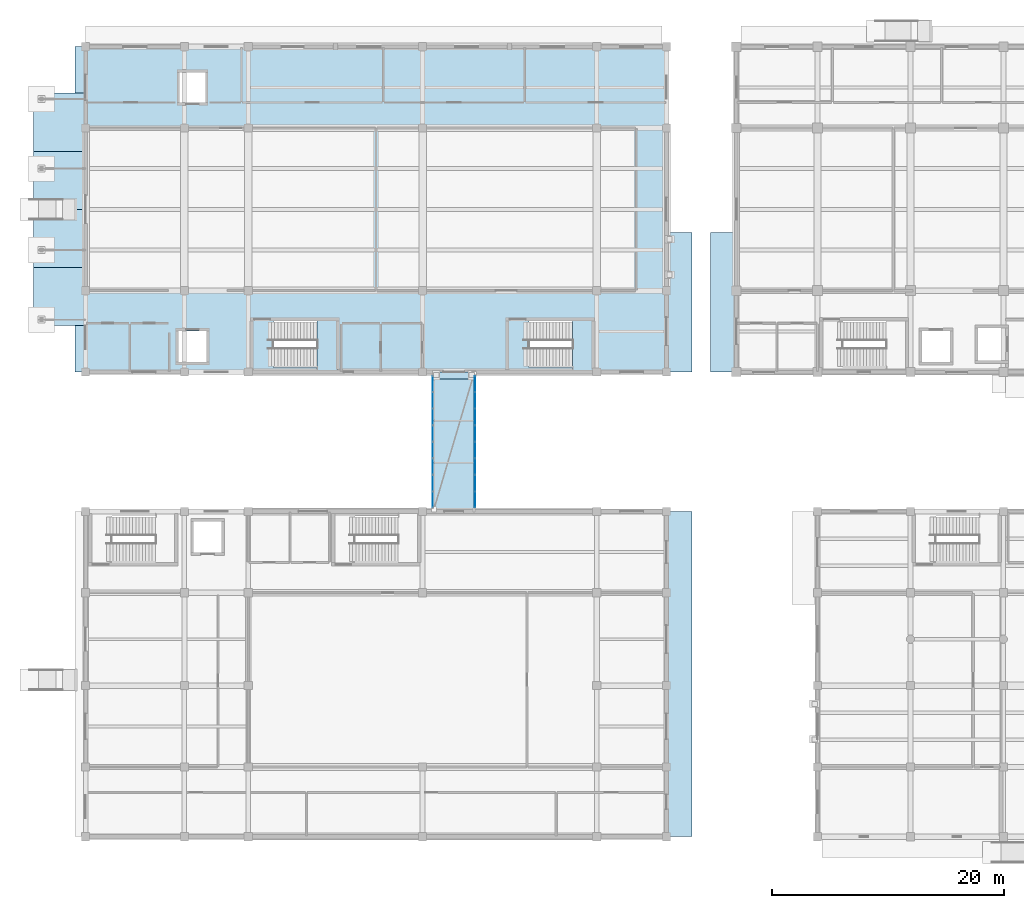
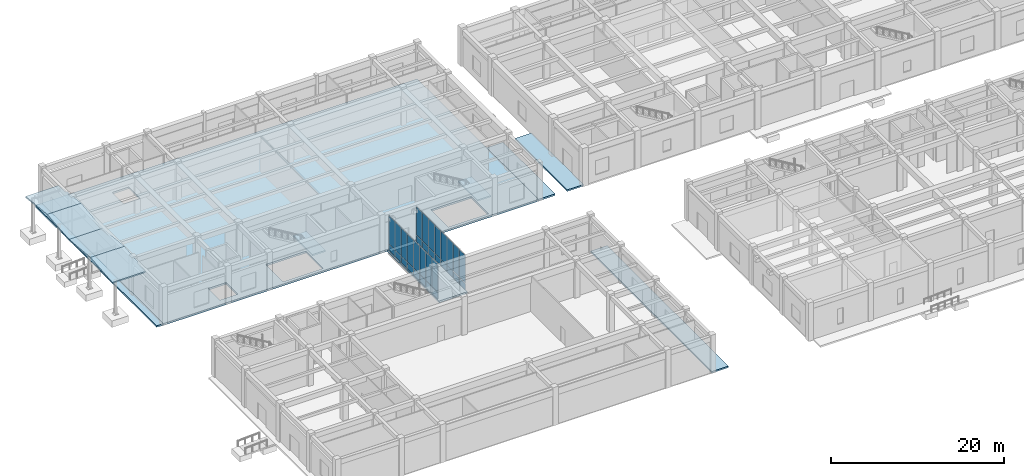
# One storey, part 12 of 40: 33 plates, 12 slabs, 4 elements without a shape of their own.
"""IFC4 building model written with IfcOpenShell, lengths in metres."""

from ifc_helpers import new_model, si_unit, direction, frame, origin, origin_2d, place, context, subcontext, project, spatial, polyline, rectangle, outline, extrude, material, layer, layer_set, type_object, element, aggregate, save


model = new_model("IFC4")

# Units and contexts
model_context = context("Model", 3, precision=1e-05, world=origin(), true_north=direction((0.0, 1.0)))
body_context = subcontext(model_context, "Body", "Model", "MODEL_VIEW")
ifc_project = project(units=[si_unit("LENGTHUNIT", "METRE"), si_unit("AREAUNIT", "SQUARE_METRE"), si_unit("VOLUMEUNIT", "CUBIC_METRE"), si_unit("PLANEANGLEUNIT", "RADIAN"), si_unit("MASSUNIT", "GRAM", prefix="KILO")], contexts=[model_context])

# Site, building, storey
site_placement = place(None, origin())
site = spatial("IfcSite", under=ifc_project, at=site_placement, CompositionType="ELEMENT")
building_placement = place(site_placement, origin())
building = spatial("IfcBuilding", under=site, at=building_placement, Name="Naurynzar Civic Courthouse", CompositionType="ELEMENT")
storey_placement = place(building_placement, origin())
storey = spatial("IfcBuildingStorey", under=building, at=storey_placement, Name="L01", CompositionType="ELEMENT", Elevation=0.0)

# Curtain wall, plates
ifc_material_1 = material(Name="Aluminium 6063-T6", Category="aluminium")
ifc_layer_1 = layer(ifc_material_1, 0.14990234375)
ifc_layer_set_1 = layer_set([ifc_layer_1], Name="CW-BRIDGE-1500")
curtain_wall_type = type_object("IfcCurtainWallType", Name="CW-BRIDGE-1500", PredefinedType="USERDEFINED", material=ifc_layer_set_1)
curtain_wall_1_placement = place(storey_placement, origin())
curtain_wall_1 = element("IfcCurtainWall", 1, at=curtain_wall_1_placement, inside=storey, type_object=curtain_wall_type, Name="BR-W1 glazed bridge screen L01.1", ObjectType="GLAZED BRIDGE SCREEN", PredefinedType="USERDEFINED")
ifc_material_2 = material(Name="Tempered Laminated Low-E Glass", Category="glass")
ifc_layer_2 = layer(ifc_material_2, 0.031982421875)
ifc_layer_set_2 = layer_set([ifc_layer_2], Name="CWP-IGU-32")
plate_type_1 = type_object("IfcPlateType", Name="CWP-IGU-32", PredefinedType="CURTAIN_PANEL", material=ifc_layer_set_2)
plate_1_placement = place(storey_placement, frame((35.8798828125, 42.972412109375, 0.06005859375), z_axis=(0.0, 0.0, 1.0), x_axis=(0.0, -1.0, 0.0)))
plate_1 = element("IfcPlate", 2, at=plate_1_placement, type_object=plate_type_1, Name="CW-03 panel 1.1", PredefinedType="CURTAIN_PANEL", context=body_context, shape_type="SweptSolid", body=[
    extrude(rectangle(XDim=1.3349609375, YDim=0.031982421875, at=origin_2d()), origin(), (0.0, 0.0, 1.0), 0.909912109375),
])
plate_2_placement = place(storey_placement, frame((35.8798828125, 42.972412109375, 1.0302734375), z_axis=(0.0, 0.0, 1.0), x_axis=(0.0, -1.0, 0.0)))
plate_2 = element("IfcPlate", 3, at=plate_2_placement, type_object=plate_type_1, Name="CW-03 panel 1.2", PredefinedType="CURTAIN_PANEL", context=body_context, shape_type="SweptSolid", body=[
    extrude(rectangle(XDim=1.3349609375, YDim=0.031982421875, at=origin_2d()), origin(), (0.0, 0.0, 1.0), 3.929931640625),
])
plate_3_placement = place(storey_placement, frame((35.8798828125, 41.5625, 0.06005859375), z_axis=(0.0, 0.0, 1.0), x_axis=(0.0, -1.0, 0.0)))
plate_3 = element("IfcPlate", 4, at=plate_3_placement, type_object=plate_type_1, Name="CW-03 panel 2.1", PredefinedType="CURTAIN_PANEL", context=body_context, shape_type="SweptSolid", body=[
    extrude(rectangle(XDim=1.364990234375, YDim=0.031982421875, at=origin_2d()), origin(), (0.0, 0.0, 1.0), 0.909912109375),
])
plate_4_placement = place(storey_placement, frame((35.8798828125, 41.5625, 1.0302734375), z_axis=(0.0, 0.0, 1.0), x_axis=(0.0, -1.0, 0.0)))
plate_4 = element("IfcPlate", 5, at=plate_4_placement, type_object=plate_type_1, Name="CW-03 panel 2.2", PredefinedType="CURTAIN_PANEL", context=body_context, shape_type="SweptSolid", body=[
    extrude(rectangle(XDim=1.364990234375, YDim=0.031982421875, at=origin_2d()), origin(), (0.0, 0.0, 1.0), 3.929931640625),
])
plate_5_placement = place(storey_placement, frame((35.8798828125, 40.137451171875, 0.06005859375), z_axis=(0.0, 0.0, 1.0), x_axis=(0.0, -1.0, 0.0)))
plate_5 = element("IfcPlate", 6, at=plate_5_placement, type_object=plate_type_1, Name="CW-03 panel 3.1", PredefinedType="CURTAIN_PANEL", context=body_context, shape_type="SweptSolid", body=[
    extrude(rectangle(XDim=1.364990234375, YDim=0.031982421875, at=origin_2d()), origin(), (0.0, 0.0, 1.0), 0.909912109375),
])
plate_6_placement = place(storey_placement, frame((35.8798828125, 40.137451171875, 1.0302734375), z_axis=(0.0, 0.0, 1.0), x_axis=(0.0, -1.0, 0.0)))
plate_6 = element("IfcPlate", 7, at=plate_6_placement, type_object=plate_type_1, Name="CW-03 panel 3.2", PredefinedType="CURTAIN_PANEL", context=body_context, shape_type="SweptSolid", body=[
    extrude(rectangle(XDim=1.364990234375, YDim=0.031982421875, at=origin_2d()), origin(), (0.0, 0.0, 1.0), 3.929931640625),
])
plate_7_placement = place(storey_placement, frame((35.8798828125, 38.71240234375, 0.06005859375), z_axis=(0.0, 0.0, 1.0), x_axis=(0.0, -1.0, 0.0)))
plate_7 = element("IfcPlate", 8, at=plate_7_placement, type_object=plate_type_1, Name="CW-03 panel 4.1", PredefinedType="CURTAIN_PANEL", context=body_context, shape_type="SweptSolid", body=[
    extrude(rectangle(XDim=1.364990234375, YDim=0.031982421875, at=origin_2d()), origin(), (0.0, 0.0, 1.0), 0.909912109375),
])
plate_8_placement = place(storey_placement, frame((35.8798828125, 38.71240234375, 1.0302734375), z_axis=(0.0, 0.0, 1.0), x_axis=(0.0, -1.0, 0.0)))
plate_8 = element("IfcPlate", 9, at=plate_8_placement, type_object=plate_type_1, Name="CW-03 panel 4.2", PredefinedType="CURTAIN_PANEL", context=body_context, shape_type="SweptSolid", body=[
    extrude(rectangle(XDim=1.364990234375, YDim=0.031982421875, at=origin_2d()), origin(), (0.0, 0.0, 1.0), 3.929931640625),
])
plate_9_placement = place(storey_placement, frame((35.8798828125, 37.28759765625, 0.06005859375), z_axis=(0.0, 0.0, 1.0), x_axis=(0.0, -1.0, 0.0)))
plate_9 = element("IfcPlate", 10, at=plate_9_placement, type_object=plate_type_1, Name="CW-03 panel 5.1", PredefinedType="CURTAIN_PANEL", context=body_context, shape_type="SweptSolid", body=[
    extrude(rectangle(XDim=1.364990234375, YDim=0.031982421875, at=origin_2d()), origin(), (0.0, 0.0, 1.0), 0.909912109375),
])
plate_10_placement = place(storey_placement, frame((35.8798828125, 37.28759765625, 1.0302734375), z_axis=(0.0, 0.0, 1.0), x_axis=(0.0, -1.0, 0.0)))
plate_10 = element("IfcPlate", 11, at=plate_10_placement, type_object=plate_type_1, Name="CW-03 panel 5.2", PredefinedType="CURTAIN_PANEL", context=body_context, shape_type="SweptSolid", body=[
    extrude(rectangle(XDim=1.364990234375, YDim=0.031982421875, at=origin_2d()), origin(), (0.0, 0.0, 1.0), 3.929931640625),
])
plate_11_placement = place(storey_placement, frame((35.8798828125, 35.862548828125, 0.06005859375), z_axis=(0.0, 0.0, 1.0), x_axis=(0.0, -1.0, 0.0)))
plate_11 = element("IfcPlate", 12, at=plate_11_placement, type_object=plate_type_1, Name="CW-03 panel 6.1", PredefinedType="CURTAIN_PANEL", context=body_context, shape_type="SweptSolid", body=[
    extrude(rectangle(XDim=1.364990234375, YDim=0.031982421875, at=origin_2d()), origin(), (0.0, 0.0, 1.0), 0.909912109375),
])
plate_12_placement = place(storey_placement, frame((35.8798828125, 35.862548828125, 1.0302734375), z_axis=(0.0, 0.0, 1.0), x_axis=(0.0, -1.0, 0.0)))
plate_12 = element("IfcPlate", 13, at=plate_12_placement, type_object=plate_type_1, Name="CW-03 panel 6.2", PredefinedType="CURTAIN_PANEL", context=body_context, shape_type="SweptSolid", body=[
    extrude(rectangle(XDim=1.364990234375, YDim=0.031982421875, at=origin_2d()), origin(), (0.0, 0.0, 1.0), 3.929931640625),
])
plate_13_placement = place(storey_placement, frame((35.8798828125, 34.4375, 0.06005859375), z_axis=(0.0, 0.0, 1.0), x_axis=(0.0, -1.0, 0.0)))
plate_13 = element("IfcPlate", 14, at=plate_13_placement, type_object=plate_type_1, Name="CW-03 panel 7.1", PredefinedType="CURTAIN_PANEL", context=body_context, shape_type="SweptSolid", body=[
    extrude(rectangle(XDim=1.364990234375, YDim=0.031982421875, at=origin_2d()), origin(), (0.0, 0.0, 1.0), 0.909912109375),
])
plate_14_placement = place(storey_placement, frame((35.8798828125, 34.4375, 1.0302734375), z_axis=(0.0, 0.0, 1.0), x_axis=(0.0, -1.0, 0.0)))
plate_14 = element("IfcPlate", 15, at=plate_14_placement, type_object=plate_type_1, Name="CW-03 panel 7.2", PredefinedType="CURTAIN_PANEL", context=body_context, shape_type="SweptSolid", body=[
    extrude(rectangle(XDim=1.364990234375, YDim=0.031982421875, at=origin_2d()), origin(), (0.0, 0.0, 1.0), 3.929931640625),
])
plate_15_placement = place(storey_placement, frame((35.8798828125, 33.027587890625, 0.06005859375), z_axis=(0.0, 0.0, 1.0), x_axis=(0.0, -1.0, 0.0)))
plate_15 = element("IfcPlate", 16, at=plate_15_placement, type_object=plate_type_1, Name="CW-03 panel 8.1", PredefinedType="CURTAIN_PANEL", context=body_context, shape_type="SweptSolid", body=[
    extrude(rectangle(XDim=1.3349609375, YDim=0.031982421875, at=origin_2d()), origin(), (0.0, 0.0, 1.0), 0.909912109375),
])
plate_16_placement = place(storey_placement, frame((35.8798828125, 33.027587890625, 1.0302734375), z_axis=(0.0, 0.0, 1.0), x_axis=(0.0, -1.0, 0.0)))
plate_16 = element("IfcPlate", 17, at=plate_16_placement, type_object=plate_type_1, Name="CW-03 panel 8.2", PredefinedType="CURTAIN_PANEL", context=body_context, shape_type="SweptSolid", body=[
    extrude(rectangle(XDim=1.3349609375, YDim=0.031982421875, at=origin_2d()), origin(), (0.0, 0.0, 1.0), 3.929931640625),
])
aggregate(curtain_wall_1, [plate_1, plate_2, plate_3, plate_4, plate_5, plate_6, plate_7, plate_8, plate_9, plate_10, plate_11, plate_12, plate_13, plate_14, plate_15, plate_16])

curtain_wall_2_placement = place(storey_placement, origin())
curtain_wall_2 = element("IfcCurtainWall", 18, at=curtain_wall_2_placement, inside=storey, type_object=curtain_wall_type, Name="BR-W1 glazed bridge screen L01.2", ObjectType="GLAZED BRIDGE SCREEN", PredefinedType="USERDEFINED")
plate_17_placement = place(storey_placement, frame((39.52001953125, 33.027587890625, 0.06005859375), z_axis=(0.0, 0.0, 1.0), x_axis=(0.0, 1.0, 0.0)))
plate_17 = element("IfcPlate", 19, at=plate_17_placement, type_object=plate_type_1, Name="CW-03 panel 1.1", PredefinedType="CURTAIN_PANEL", context=body_context, shape_type="SweptSolid", body=[
    extrude(rectangle(XDim=1.3349609375, YDim=0.031982421875, at=origin_2d()), origin(), (0.0, 0.0, 1.0), 0.909912109375),
])
plate_18_placement = place(storey_placement, frame((39.52001953125, 33.027587890625, 1.0302734375), z_axis=(0.0, 0.0, 1.0), x_axis=(0.0, 1.0, 0.0)))
plate_18 = element("IfcPlate", 20, at=plate_18_placement, type_object=plate_type_1, Name="CW-03 panel 1.2", PredefinedType="CURTAIN_PANEL", context=body_context, shape_type="SweptSolid", body=[
    extrude(rectangle(XDim=1.3349609375, YDim=0.031982421875, at=origin_2d()), origin(), (0.0, 0.0, 1.0), 3.929931640625),
])
plate_19_placement = place(storey_placement, frame((39.52001953125, 34.4375, 0.06005859375), z_axis=(0.0, 0.0, 1.0), x_axis=(0.0, 1.0, 0.0)))
plate_19 = element("IfcPlate", 21, at=plate_19_placement, type_object=plate_type_1, Name="CW-03 panel 2.1", PredefinedType="CURTAIN_PANEL", context=body_context, shape_type="SweptSolid", body=[
    extrude(rectangle(XDim=1.364990234375, YDim=0.031982421875, at=origin_2d()), origin(), (0.0, 0.0, 1.0), 0.909912109375),
])
plate_20_placement = place(storey_placement, frame((39.52001953125, 34.4375, 1.0302734375), z_axis=(0.0, 0.0, 1.0), x_axis=(0.0, 1.0, 0.0)))
plate_20 = element("IfcPlate", 22, at=plate_20_placement, type_object=plate_type_1, Name="CW-03 panel 2.2", PredefinedType="CURTAIN_PANEL", context=body_context, shape_type="SweptSolid", body=[
    extrude(rectangle(XDim=1.364990234375, YDim=0.031982421875, at=origin_2d()), origin(), (0.0, 0.0, 1.0), 3.929931640625),
])
plate_21_placement = place(storey_placement, frame((39.52001953125, 35.862548828125, 0.06005859375), z_axis=(0.0, 0.0, 1.0), x_axis=(0.0, 1.0, 0.0)))
plate_21 = element("IfcPlate", 23, at=plate_21_placement, type_object=plate_type_1, Name="CW-03 panel 3.1", PredefinedType="CURTAIN_PANEL", context=body_context, shape_type="SweptSolid", body=[
    extrude(rectangle(XDim=1.364990234375, YDim=0.031982421875, at=origin_2d()), origin(), (0.0, 0.0, 1.0), 0.909912109375),
])
plate_22_placement = place(storey_placement, frame((39.52001953125, 35.862548828125, 1.0302734375), z_axis=(0.0, 0.0, 1.0), x_axis=(0.0, 1.0, 0.0)))
plate_22 = element("IfcPlate", 24, at=plate_22_placement, type_object=plate_type_1, Name="CW-03 panel 3.2", PredefinedType="CURTAIN_PANEL", context=body_context, shape_type="SweptSolid", body=[
    extrude(rectangle(XDim=1.364990234375, YDim=0.031982421875, at=origin_2d()), origin(), (0.0, 0.0, 1.0), 3.929931640625),
])
plate_23_placement = place(storey_placement, frame((39.52001953125, 37.28759765625, 0.06005859375), z_axis=(0.0, 0.0, 1.0), x_axis=(0.0, 1.0, 0.0)))
plate_23 = element("IfcPlate", 25, at=plate_23_placement, type_object=plate_type_1, Name="CW-03 panel 4.1", PredefinedType="CURTAIN_PANEL", context=body_context, shape_type="SweptSolid", body=[
    extrude(rectangle(XDim=1.364990234375, YDim=0.031982421875, at=origin_2d()), origin(), (0.0, 0.0, 1.0), 0.909912109375),
])
plate_24_placement = place(storey_placement, frame((39.52001953125, 37.28759765625, 1.0302734375), z_axis=(0.0, 0.0, 1.0), x_axis=(0.0, 1.0, 0.0)))
plate_24 = element("IfcPlate", 26, at=plate_24_placement, type_object=plate_type_1, Name="CW-03 panel 4.2", PredefinedType="CURTAIN_PANEL", context=body_context, shape_type="SweptSolid", body=[
    extrude(rectangle(XDim=1.364990234375, YDim=0.031982421875, at=origin_2d()), origin(), (0.0, 0.0, 1.0), 3.929931640625),
])
plate_25_placement = place(storey_placement, frame((39.52001953125, 38.71240234375, 0.06005859375), z_axis=(0.0, 0.0, 1.0), x_axis=(0.0, 1.0, 0.0)))
plate_25 = element("IfcPlate", 27, at=plate_25_placement, type_object=plate_type_1, Name="CW-03 panel 5.1", PredefinedType="CURTAIN_PANEL", context=body_context, shape_type="SweptSolid", body=[
    extrude(rectangle(XDim=1.364990234375, YDim=0.031982421875, at=origin_2d()), origin(), (0.0, 0.0, 1.0), 0.909912109375),
])
plate_26_placement = place(storey_placement, frame((39.52001953125, 38.71240234375, 1.0302734375), z_axis=(0.0, 0.0, 1.0), x_axis=(0.0, 1.0, 0.0)))
plate_26 = element("IfcPlate", 28, at=plate_26_placement, type_object=plate_type_1, Name="CW-03 panel 5.2", PredefinedType="CURTAIN_PANEL", context=body_context, shape_type="SweptSolid", body=[
    extrude(rectangle(XDim=1.364990234375, YDim=0.031982421875, at=origin_2d()), origin(), (0.0, 0.0, 1.0), 3.929931640625),
])
plate_27_placement = place(storey_placement, frame((39.52001953125, 40.137451171875, 0.06005859375), z_axis=(0.0, 0.0, 1.0), x_axis=(0.0, 1.0, 0.0)))
plate_27 = element("IfcPlate", 29, at=plate_27_placement, type_object=plate_type_1, Name="CW-03 panel 6.1", PredefinedType="CURTAIN_PANEL", context=body_context, shape_type="SweptSolid", body=[
    extrude(rectangle(XDim=1.364990234375, YDim=0.031982421875, at=origin_2d()), origin(), (0.0, 0.0, 1.0), 0.909912109375),
])
plate_28_placement = place(storey_placement, frame((39.52001953125, 40.137451171875, 1.0302734375), z_axis=(0.0, 0.0, 1.0), x_axis=(0.0, 1.0, 0.0)))
plate_28 = element("IfcPlate", 30, at=plate_28_placement, type_object=plate_type_1, Name="CW-03 panel 6.2", PredefinedType="CURTAIN_PANEL", context=body_context, shape_type="SweptSolid", body=[
    extrude(rectangle(XDim=1.364990234375, YDim=0.031982421875, at=origin_2d()), origin(), (0.0, 0.0, 1.0), 3.929931640625),
])
plate_29_placement = place(storey_placement, frame((39.52001953125, 41.5625, 0.06005859375), z_axis=(0.0, 0.0, 1.0), x_axis=(0.0, 1.0, 0.0)))
plate_29 = element("IfcPlate", 31, at=plate_29_placement, type_object=plate_type_1, Name="CW-03 panel 7.1", PredefinedType="CURTAIN_PANEL", context=body_context, shape_type="SweptSolid", body=[
    extrude(rectangle(XDim=1.364990234375, YDim=0.031982421875, at=origin_2d()), origin(), (0.0, 0.0, 1.0), 0.909912109375),
])
plate_30_placement = place(storey_placement, frame((39.52001953125, 41.5625, 1.0302734375), z_axis=(0.0, 0.0, 1.0), x_axis=(0.0, 1.0, 0.0)))
plate_30 = element("IfcPlate", 32, at=plate_30_placement, type_object=plate_type_1, Name="CW-03 panel 7.2", PredefinedType="CURTAIN_PANEL", context=body_context, shape_type="SweptSolid", body=[
    extrude(rectangle(XDim=1.364990234375, YDim=0.031982421875, at=origin_2d()), origin(), (0.0, 0.0, 1.0), 3.929931640625),
])
plate_31_placement = place(storey_placement, frame((39.52001953125, 42.972412109375, 0.06005859375), z_axis=(0.0, 0.0, 1.0), x_axis=(0.0, 1.0, 0.0)))
plate_31 = element("IfcPlate", 33, at=plate_31_placement, type_object=plate_type_1, Name="CW-03 panel 8.1", PredefinedType="CURTAIN_PANEL", context=body_context, shape_type="SweptSolid", body=[
    extrude(rectangle(XDim=1.3349609375, YDim=0.031982421875, at=origin_2d()), origin(), (0.0, 0.0, 1.0), 0.909912109375),
])
plate_32_placement = place(storey_placement, frame((39.52001953125, 42.972412109375, 1.0302734375), z_axis=(0.0, 0.0, 1.0), x_axis=(0.0, 1.0, 0.0)))
plate_32 = element("IfcPlate", 34, at=plate_32_placement, type_object=plate_type_1, Name="CW-03 panel 8.2", PredefinedType="CURTAIN_PANEL", context=body_context, shape_type="SweptSolid", body=[
    extrude(rectangle(XDim=1.3349609375, YDim=0.031982421875, at=origin_2d()), origin(), (0.0, 0.0, 1.0), 3.929931640625),
])
aggregate(curtain_wall_2, [plate_17, plate_18, plate_19, plate_20, plate_21, plate_22, plate_23, plate_24, plate_25, plate_26, plate_27, plate_28, plate_29, plate_30, plate_31, plate_32])

# Plate
ifc_material_3 = material(Name="Brushed Stainless Steel 304", Category="steel")
ifc_layer_3 = layer(ifc_material_3, 0.011962890625)
ifc_layer_set_3 = layer_set([ifc_layer_3], Name="PLT-SEISMIC-COVER-12")
plate_type_2 = type_object("IfcPlateType", Name="PLT-SEISMIC-COVER-12", PredefinedType="SHEET", material=ifc_layer_set_3)
plate_33_placement = place(storey_placement, frame((37.699951171875, 43.699951171875, 0.0), z_axis=(0.0, 0.0, 1.0), x_axis=(1.0, 0.0, 0.0)))
element("IfcPlate", 35, at=plate_33_placement, inside=storey, type_object=plate_type_2, Name="BR-W1 seismic floor joint cover plate L01", PredefinedType="SHEET", context=body_context, shape_type="SweptSolid", body=[
    extrude(rectangle(XDim=3.39990234375, YDim=0.60009765625, at=origin_2d()), origin(), (0.0, 0.0, 1.0), 0.011962890625),
])

# Slabs
ifc_material_4 = material(Name="Concrete C40/50", Category="concrete")
ifc_layer_4 = layer(ifc_material_4, 0.18994140625)
ifc_layer_set_4 = layer_set([ifc_layer_4], Name="ROOF-CANOPY-190")
slab_type_1 = type_object("IfcSlabType", Name="ROOF-CANOPY-190", PredefinedType="ROOF", material=ifc_layer_set_4)
for number, where, z_axis, x_axis, name in (
    (36, (1.5, 48.0, 4.949951171875), (0.0, -0.099503719021, 0.99503719021), (1.0, 0.0, 0.0), "West civic entrance folded-plate canopy facet 1"),
    (37, (1.5, 53.0, 5.449951171875), (0.0, 0.099503719021, 0.99503719021), (1.0, 0.0, 0.0), "West civic entrance folded-plate canopy facet 2"),
    (38, (1.5, 58.0, 4.949951171875), (0.0, -0.099503719021, 0.99503719021), (1.0, 0.0, 0.0), "West civic entrance folded-plate canopy facet 3"),
    (39, (1.5, 63.0, 5.449951171875), (0.0, 0.099503719021, 0.99503719021), (1.0, 0.0, 0.0), "West civic entrance folded-plate canopy facet 4"),
):
    element("IfcSlab", number, at=place(storey_placement, frame(where, z_axis=z_axis, x_axis=x_axis)), inside=storey, type_object=slab_type_1, Name=name, PredefinedType="ROOF", context=body_context, shape_type="SweptSolid", body=[
        extrude(outline(polyline([(0.0, 0.0), (4.5, 0.0), (4.5, 5.024937810560446), (0.0, 5.024937810560446), (0.0, 0.0)])), origin(), (0.0, 0.0, -1.0), 0.18994140625),
    ])
ifc_material_5 = material(Name="Concrete C35/45", Category="concrete")
ifc_layer_5 = layer(ifc_material_5, 0.219970703125)
ifc_layer_set_5 = layer_set([ifc_layer_5], Name="SLB-APRON-220")
slab_type_2 = type_object("IfcSlabType", Name="SLB-APRON-220", PredefinedType="BASESLAB", material=ifc_layer_set_5)
slab_1_placement = place(storey_placement, frame((0.0, 0.0, -0.219970703125)))
element("IfcSlab", 40, at=slab_1_placement, inside=storey, type_object=slab_type_2, Name="West ceremonial entrance forecourt paving slab", PredefinedType="BASESLAB", context=body_context, shape_type="SweptSolid", body=[
    extrude(outline(polyline([(5.10009765625, 44.0), (6.0, 44.0), (6.0, 72.0), (5.10009765625, 72.0), (5.10009765625, 44.0)])), origin(), (0.0, 0.0, 1.0), 0.219970703125),
])
slab_2_placement = place(storey_placement, frame((0.0, 0.0, -0.219970703125)))
element("IfcSlab", 41, at=slab_2_placement, inside=storey, type_object=slab_type_2, Name="Exterior civic paving SLB-PAV-V1E", PredefinedType="BASESLAB", context=body_context, shape_type="SweptSolid", body=[
    extrude(outline(polyline([(56.0, 44.0), (58.199951171875, 44.0), (58.199951171875, 56.0), (56.0, 56.0), (56.0, 44.0)])), origin(), (0.0, 0.0, 1.0), 0.219970703125),
])
slab_3_placement = place(storey_placement, frame((0.0, 0.0, -0.219970703125)))
element("IfcSlab", 42, at=slab_3_placement, inside=storey, type_object=slab_type_2, Name="Exterior civic paving SLB-PAV-V2W", PredefinedType="BASESLAB", context=body_context, shape_type="SweptSolid", body=[
    extrude(outline(polyline([(59.800048828125, 44.0), (62.0, 44.0), (62.0, 56.0), (59.800048828125, 56.0), (59.800048828125, 44.0)])), origin(), (0.0, 0.0, 1.0), 0.219970703125),
])
slab_4_placement = place(storey_placement, frame((0.0, 0.0, -0.219970703125)))
element("IfcSlab", 43, at=slab_4_placement, inside=storey, type_object=slab_type_2, Name="Exterior civic paving SLB-PAV-V4E", PredefinedType="BASESLAB", context=body_context, shape_type="SweptSolid", body=[
    extrude(outline(polyline([(56.0, 4.0), (58.199951171875, 4.0), (58.199951171875, 32.0), (56.0, 32.0), (56.0, 4.0)])), origin(), (0.0, 0.0, 1.0), 0.219970703125),
])
ifc_material_6 = material(Name="Concrete C35/45", Category="concrete")
ifc_layer_6 = layer(ifc_material_6, 0.239990234375)
ifc_layer_set_6 = layer_set([ifc_layer_6], Name="SLB-BRG-240")
slab_type_3 = type_object("IfcSlabType", Name="SLB-BRG-240", PredefinedType="FLOOR", material=ifc_layer_set_6)
slab_5_placement = place(storey_placement, frame((0.0, 0.0, -0.239990234375)))
element("IfcSlab", 44, at=slab_5_placement, inside=storey, type_object=slab_type_3, Name="West Atrium Seismic Link Passage deck slab L01", PredefinedType="FLOOR", context=body_context, shape_type="SweptSolid", body=[
    extrude(outline(polyline([(35.820068359375, 32.02001953125), (39.580078125, 32.02001953125), (39.580078125, 43.97998046875), (35.820068359375, 43.97998046875), (35.820068359375, 32.02001953125)])), origin(), (0.0, 0.0, 1.0), 0.239990234375),
])
ifc_material_7 = material(Name="Concrete C35/45", Category="concrete")
ifc_layer_7 = layer(ifc_material_7, 0.260009765625)
ifc_layer_set_7 = layer_set([ifc_layer_7], Name="SLB-HALL-260")
slab_type_4 = type_object("IfcSlabType", Name="SLB-HALL-260", PredefinedType="FLOOR", material=ifc_layer_set_7)
slab_6_placement = place(storey_placement, frame((0.0, 0.0, -0.260009765625)))
element("IfcSlab", 45, at=slab_6_placement, inside=storey, type_object=slab_type_4, Name="V1 floor slab L01", PredefinedType="FLOOR", context=body_context, shape_type="SweptSolid", body=[
    extrude(outline(polyline([(56.0, 44.0), (56.0, 72.0), (6.0, 72.0), (6.0, 44.0), (56.0, 44.0)]), holes=[polyline([(22.179931640625, 44.39990234375), (27.550048828125, 44.39990234375), (27.550048828125, 48.39990234375), (22.179931640625, 48.39990234375), (22.179931640625, 44.39990234375)]), polyline([(44.179931640625, 44.39990234375), (49.550048828125, 44.39990234375), (49.550048828125, 48.39990234375), (44.179931640625, 48.39990234375), (44.179931640625, 44.39990234375)]), polyline([(14.0, 44.85009765625), (16.39990234375, 44.85009765625), (16.39990234375, 47.550048828125), (14.0, 47.550048828125), (14.0, 44.85009765625)]), polyline([(14.10009765625, 67.199951171875), (16.300048828125, 67.199951171875), (16.300048828125, 69.800048828125), (14.10009765625, 69.800048828125), (14.10009765625, 67.199951171875)])]), origin(), (0.0, 0.0, 1.0), 0.260009765625),
])

# Stair, slab
ifc_material_8 = material(Name="Concrete C35/45", Category="concrete")
stair_type = type_object("IfcStairType", Name="STAIR-CORE-1600", PredefinedType="TWO_STRAIGHT_RUN_STAIR", material=ifc_material_8)
stair_1_placement = place(storey_placement, origin())
stair_1 = element("IfcStair", 46, at=stair_1_placement, inside=storey, type_object=stair_type, Name="Enclosed escape stair ST-V1A L01", PredefinedType="TWO_STRAIGHT_RUN_STAIR")
ifc_material_9 = material(Name="Concrete C35/45", Category="concrete")
ifc_layer_8 = layer(ifc_material_9, 0.199951171875)
ifc_layer_set_8 = layer_set([ifc_layer_8], Name="SLB-LAND-200")
slab_type_5 = type_object("IfcSlabType", Name="SLB-LAND-200", PredefinedType="LANDING", material=ifc_layer_set_8)
slab_7_placement = place(storey_placement, frame((0.0, 0.0, 2.5)))
slab_7 = element("IfcSlab", 47, at=slab_7_placement, type_object=slab_type_5, Name="ST-V1A-L01 landing 1", PredefinedType="LANDING", context=body_context, shape_type="SweptSolid", body=[
    extrude(outline(polyline([(25.89990234375, 44.080078125), (27.669921875, 44.080078125), (27.669921875, 48.52001953125), (25.89990234375, 48.52001953125), (25.89990234375, 44.080078125)])), origin(), (0.0, 0.0, 1.0), 0.199951171875),
])
aggregate(stair_1, [slab_7])

stair_2_placement = place(storey_placement, origin())
stair_2 = element("IfcStair", 48, at=stair_2_placement, inside=storey, type_object=stair_type, Name="Enclosed escape stair ST-V1B L01", PredefinedType="TWO_STRAIGHT_RUN_STAIR")
slab_8_placement = place(storey_placement, frame((0.0, 0.0, 2.5)))
slab_8 = element("IfcSlab", 49, at=slab_8_placement, type_object=slab_type_5, Name="ST-V1B-L01 landing 1", PredefinedType="LANDING", context=body_context, shape_type="SweptSolid", body=[
    extrude(outline(polyline([(47.89990234375, 44.080078125), (49.669921875, 44.080078125), (49.669921875, 48.52001953125), (47.89990234375, 48.52001953125), (47.89990234375, 44.080078125)])), origin(), (0.0, 0.0, 1.0), 0.199951171875),
])
aggregate(stair_2, [slab_8])

save(model, "model.ifc")
